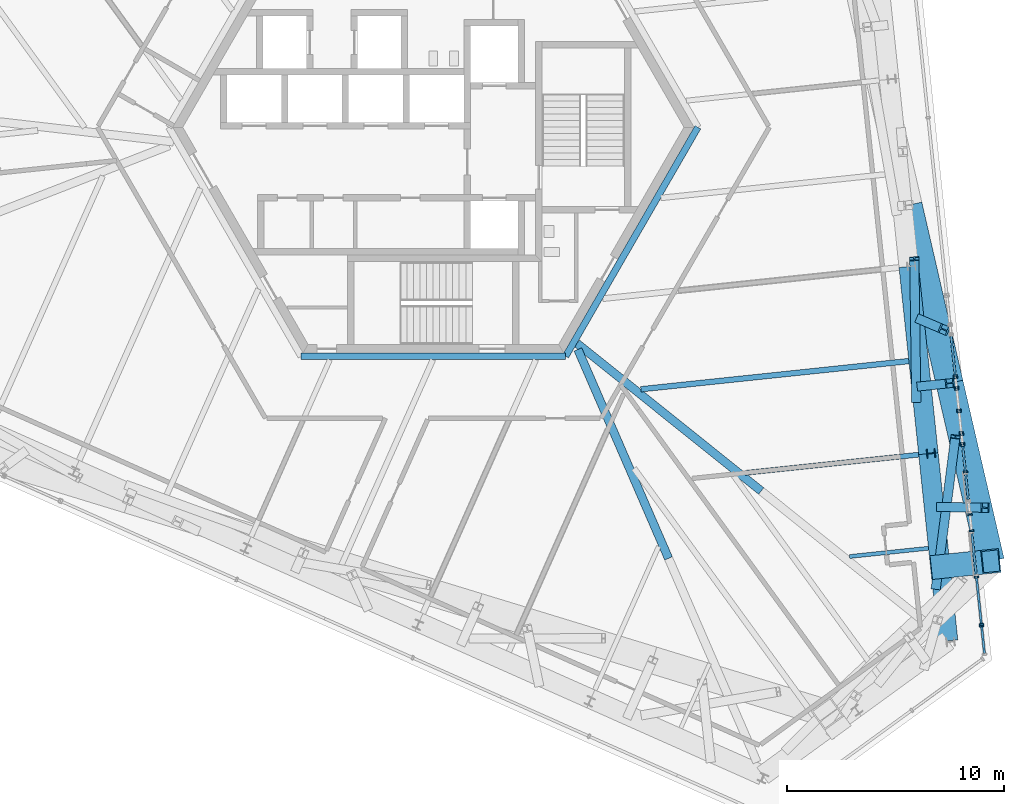
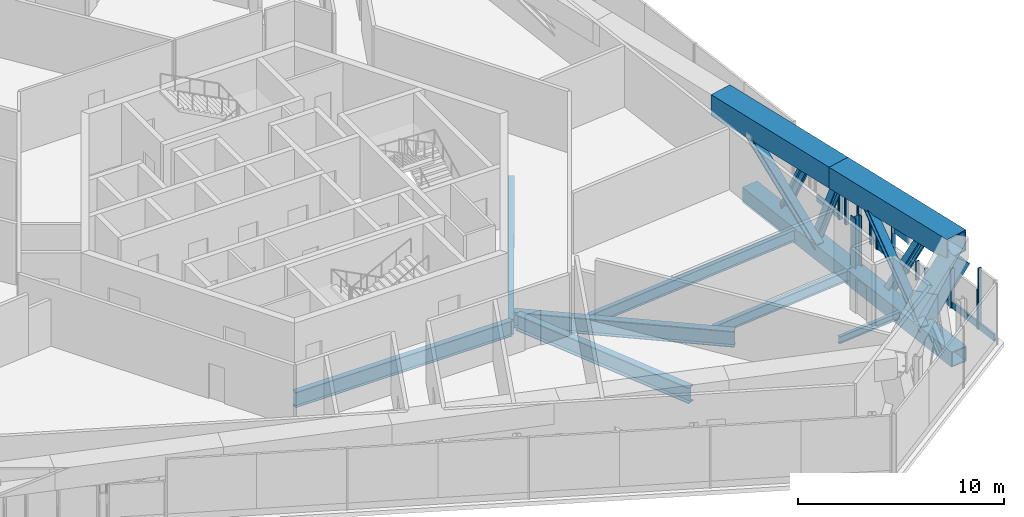
# One storey, part 4 of 30: 34 members, 7 beams, 12 elements without a shape of their own.
"""IFC4 building model written with IfcOpenShell, lengths in metres."""

from ifc_helpers import new_model, si_unit, direction, frame, origin, origin_2d, place, context, subcontext, project, spatial, rectangle, hollow_rectangle, i_section, extrude, source, transform, mapped, material, material_profile, profile_set, type_object, element, aggregate, save


model = new_model("IFC4")

# Units and contexts
model_context = context("Model", 3, precision=1e-05, world=origin(), true_north=direction((0.0, 1.0)))
body_context = subcontext(model_context, "Body", "Model", "MODEL_VIEW")
ifc_project = project(units=[si_unit("LENGTHUNIT", "METRE"), si_unit("AREAUNIT", "SQUARE_METRE"), si_unit("VOLUMEUNIT", "CUBIC_METRE"), si_unit("PLANEANGLEUNIT", "RADIAN"), si_unit("MASSUNIT", "GRAM", prefix="KILO")], contexts=[model_context])

# Site, building, storey
site_placement = place(None, origin())
site = spatial("IfcSite", under=ifc_project, at=site_placement, CompositionType="ELEMENT")
building_placement = place(site_placement, origin())
building = spatial("IfcBuilding", under=site, at=building_placement, Name="Triune Harvest Tower", CompositionType="ELEMENT")
storey_placement = place(building_placement, frame((0.0, 0.0, 94.5)))
storey = spatial("IfcBuildingStorey", under=building, at=storey_placement, Name="L23", CompositionType="ELEMENT", Elevation=94.5)

# Beam
ifc_material_1 = material(Name="Steel ASTM A992 Gr 50", Category="steel")
ifc_material_profile_1 = material_profile(ifc_material_1, i_section(OverallWidth=0.180908203125, OverallDepth=0.41650390625, WebThickness=0.010986328125, FlangeThickness=0.01806640625, at=origin_2d()), Name="W16x57")
ifc_profile_set_1 = profile_set([ifc_material_profile_1], Name="Steel ASTM A992 Gr 50")
beam_type_1 = type_object("IfcBeamType", Name="JT-1 Floor joist W16x57", PredefinedType="JOIST", material=ifc_profile_set_1)
beam_1_placement = place(storey_placement, frame((22.793212890625, -19.379150390625, -0.458251953125), z_axis=(-0.994523015384, -0.104517806482, 0.0), x_axis=(0.104517806482, -0.994523015384, 0.0)))
element("IfcBeam", 1, at=beam_1_placement, inside=storey, type_object=beam_type_1, Name="beam/L23/JT1", PredefinedType="JOIST", context=body_context, shape_type="SweptSolid", body=[
    extrude(i_section(OverallWidth=0.180908203125, OverallDepth=0.41650390625, WebThickness=0.010986328125, FlangeThickness=0.01806640625, at=origin_2d()), origin(), (0.0, 0.0, 1.0), 3.6533203125),
])

# Members
ifc_material_2 = material(Name="Steel ASTM A572 Gr 50", Category="steel")
ifc_material_profile_2 = material_profile(ifc_material_2, hollow_rectangle(XDim=1.25, YDim=1.25, WallThickness=0.070068359375, at=origin_2d()), Name="Box 1250x1250x70")
ifc_profile_set_2 = profile_set([ifc_material_profile_2], Name="Steel ASTM A572 Gr 50")
member_type_1 = type_object("IfcMemberType", Name="TC-1 Belt truss chord Box 1250x1250x70", PredefinedType="CHORD", material=ifc_profile_set_2)
member_1_placement = place(storey_placement, frame((23.765869140625, -11.784912109375, 3.014892578125), z_axis=(-0.224971810835, 0.974365272539, 0.0), x_axis=(-0.974365272539, -0.224971810835, 0.0)))
element("IfcMember", 2, at=member_1_placement, inside=storey, type_object=member_type_1, Name="truss/L23/TCT2", PredefinedType="CHORD", context=body_context, shape_type="SweptSolid", body=[
    extrude(hollow_rectangle(XDim=1.25, YDim=1.25, WallThickness=0.070068359375, at=origin_2d()), origin(), (0.0, 0.0, 1.0), 8.414794921875),
])
ifc_material_3 = material(Name="Steel ASTM A992 Gr 50", Category="steel")
ifc_material_profile_3 = material_profile(ifc_material_3, i_section(OverallWidth=0.424072265625, OverallDepth=0.47509765625, WebThickness=0.0478515625, FlangeThickness=0.0771484375, at=origin_2d()), Name="W14x426")
ifc_profile_set_3 = profile_set([ifc_material_profile_3], Name="Steel ASTM A992 Gr 50")
member_type_2 = type_object("IfcMemberType", Name="TD-1 Belt truss diagonal W14x426", PredefinedType="BRACE", material=ifc_profile_set_3)
member_2_placement = place(storey_placement, frame((23.34765625, -17.479736328125, -0.324951171875), z_axis=(0.59704491929, -0.010681862821, 0.802136685458), x_axis=(0.017888358609, 0.999839990512, 0.0)))
element("IfcMember", 3, at=member_2_placement, inside=storey, type_object=member_type_2, Name="truss/L23/TD2", PredefinedType="BRACE", context=body_context, shape_type="SweptSolid", body=[
    extrude(i_section(OverallWidth=0.424072265625, OverallDepth=0.47509765625, WebThickness=0.0478515625, FlangeThickness=0.0771484375, at=origin_2d()), origin(), (0.0, 0.0, 1.0), 3.42822265625),
])

# Curtain wall, member
ifc_material_4 = material(Name="Aluminium bronze anodised", Category="aluminium")
curtain_wall_type = type_object("IfcCurtainWallType", Name="CW-5 Plant louvre wall", PredefinedType="NOTDEFINED", material=ifc_material_4)
curtain_wall_1_placement = place(storey_placement, origin())
curtain_wall_1 = element("IfcCurtainWall", 4, at=curtain_wall_1_placement, inside=storey, type_object=curtain_wall_type, Name="CW-5 B2-F1 L23 run 201")
ifc_material_5 = material(Name="Aluminium bronze anodised", Category="aluminium")
ifc_material_profile_4 = material_profile(ifc_material_5, rectangle(XDim=0.10009765625, YDim=0.39990234375, at=origin_2d()), Name="TR-5 transom 100 x 400")
ifc_profile_set_4 = profile_set([ifc_material_profile_4], Name="Aluminium bronze anodised")
member_type_3 = type_object("IfcMemberType", Name="TR-5 transom 100 x 400", PredefinedType="USERDEFINED", material=ifc_profile_set_4)
member_3_placement = place(storey_placement, frame((24.986572265625, -20.587158203125, 0.199951171875), z_axis=(-0.104483838364, 0.994526584622, 0.0), x_axis=(-0.994526584622, -0.104483838364, 0.0)))
member_3 = element("IfcMember", 5, at=member_3_placement, type_object=member_type_3, Name="CW-5 transom B2-F1 201.1", ObjectType="TRANSOM", PredefinedType="USERDEFINED", context=body_context, shape_type="SweptSolid", body=[
    extrude(rectangle(XDim=0.10009765625, YDim=0.39990234375, at=origin_2d()), origin(), (0.0, 0.0, 1.0), 1.8974609375),
])
aggregate(curtain_wall_1, [member_3])

curtain_wall_2_placement = place(storey_placement, origin())
curtain_wall_2 = element("IfcCurtainWall", 6, at=curtain_wall_2_placement, inside=storey, type_object=curtain_wall_type, Name="CW-5 B2-F1 L23 run 701")
member_4_placement = place(storey_placement, frame((24.486572265625, -15.82958984375, 0.199951171875), z_axis=(-0.104497967431, 0.994525100137, 0.0), x_axis=(-0.994525100137, -0.104497967431, 0.0)))
member_4 = element("IfcMember", 7, at=member_4_placement, type_object=member_type_3, Name="CW-5 transom B2-F1 701.1", ObjectType="TRANSOM", PredefinedType="USERDEFINED", context=body_context, shape_type="SweptSolid", body=[
    extrude(rectangle(XDim=0.10009765625, YDim=0.39990234375, at=origin_2d()), origin(), (0.0, 0.0, 1.0), 1.156494140625),
])

curtain_wall_3_placement = place(storey_placement, origin())
curtain_wall_3 = element("IfcCurtainWall", 8, at=curtain_wall_3_placement, inside=storey, type_object=curtain_wall_type, Name="CW-5 B2-F1 L23 run 1201")
member_5_placement = place(storey_placement, frame((24.02197265625, -11.41015625, 0.199951171875), z_axis=(-0.104536567764, 0.994521043518, 0.0), x_axis=(-0.994521043518, -0.104536567764, 0.0)))
member_5 = element("IfcMember", 9, at=member_5_placement, type_object=member_type_3, Name="CW-5 transom B2-F1 1201.1", ObjectType="TRANSOM", PredefinedType="USERDEFINED", context=body_context, shape_type="SweptSolid", body=[
    extrude(rectangle(XDim=0.10009765625, YDim=0.39990234375, at=origin_2d()), origin(), (0.0, 0.0, 1.0), 1.800537109375),
])

# Member
ifc_material_6 = material(Name="Steel ASTM A572 Gr 50", Category="steel")
ifc_material_profile_5 = material_profile(ifc_material_6, hollow_rectangle(XDim=1.10009765625, YDim=1.10009765625, WallThickness=0.06005859375, at=origin_2d()), Name="Box 1100x1100x60")
ifc_profile_set_5 = profile_set([ifc_material_profile_5], Name="Steel ASTM A572 Gr 50")
member_type_4 = type_object("IfcMemberType", Name="TS-1 Belt truss raked strut Box 1100x1100x60", PredefinedType="STRUT", material=ifc_profile_set_5)
member_6_placement = place(storey_placement, frame((23.334716796875, -20.227783203125, -0.27490234375), z_axis=(0.650837994203, 0.068372517513, 0.756131671173), x_axis=(-0.104478115957, 0.994527185795, 0.0)))
element("IfcMember", 10, at=member_6_placement, inside=storey, type_object=member_type_4, Name="truss/L23/TS1", PredefinedType="STRUT", context=body_context, shape_type="SweptSolid", body=[
    extrude(hollow_rectangle(XDim=1.10009765625, YDim=1.10009765625, WallThickness=0.06005859375, at=origin_2d()), origin(), (0.0, 0.0, 1.0), 3.57080078125),
])

# Beams
ifc_material_7 = material(Name="Steel ASTM A992 Gr 50", Category="steel")
ifc_material_profile_6 = material_profile(ifc_material_7, i_section(OverallWidth=0.3046875, OverallDepth=0.914306640625, WebThickness=0.0166015625, FlangeThickness=0.02587890625, at=origin_2d()), Name="W36x160")
ifc_profile_set_6 = profile_set([ifc_material_profile_6], Name="Steel ASTM A992 Gr 50")
beam_type_2 = type_object("IfcBeamType", Name="CG-1 Core ring girder W36x160", PredefinedType="BEAM", material=ifc_profile_set_6)
shared_shape_1 = source(origin(), body_context, "Body", "SweptSolid", [
    extrude(i_section(OverallWidth=0.3046875, OverallDepth=0.914306640625, WebThickness=0.0166015625, FlangeThickness=0.02587890625, at=origin_2d()), origin(), (0.0, 0.0, 1.0), 12.176025390625),
])
beam_2_placement = place(storey_placement, frame((6.087890625, -10.544677734375, -0.707275390625), z_axis=(0.5000099932, 0.866019634131, 0.0), x_axis=(-0.866019634131, 0.5000099932, 0.0)))
element("IfcBeam", 11, at=beam_2_placement, inside=storey, type_object=beam_type_2, Name="beam/L23/CG6", PredefinedType="BEAM", context=body_context, shape_type="MappedRepresentation", body=[
    mapped(shared_shape_1, transform((0.0, 0.0, 0.0), scale=1.0)),
])
shared_shape_2 = source(origin(), body_context, "Body", "SweptSolid", [
    extrude(i_section(OverallWidth=0.3046875, OverallDepth=0.914306640625, WebThickness=0.0166015625, FlangeThickness=0.02587890625, at=origin_2d()), origin(), (0.0, 0.0, 1.0), 12.17578125),
])
beam_3_placement = place(storey_placement, frame((-6.087890625, -10.544677734375, -0.707275390625), z_axis=(1.0, 0.0, 0.0), x_axis=(0.0, 1.0, 0.0)))
element("IfcBeam", 12, at=beam_3_placement, inside=storey, type_object=beam_type_2, Name="beam/L23/CG5", PredefinedType="BEAM", context=body_context, shape_type="MappedRepresentation", body=[
    mapped(shared_shape_2, transform((0.0, 0.0, 0.0), scale=1.0)),
])
ifc_material_8 = material(Name="Steel ASTM A992 Gr 50", Category="steel")
ifc_material_profile_7 = material_profile(ifc_material_8, i_section(OverallWidth=0.383544921875, OverallDepth=0.9423828125, WebThickness=0.022216796875, FlangeThickness=0.039794921875, at=origin_2d()), Name="W36x232")
ifc_profile_set_7 = profile_set([ifc_material_profile_7], Name="Steel ASTM A992 Gr 50")
beam_type_3 = type_object("IfcBeamType", Name="HG-1 Hip girder W36x232", PredefinedType="BEAM", material=ifc_profile_set_7)
shared_shape_3 = source(origin(), body_context, "Body", "SweptSolid", [
    extrude(i_section(OverallWidth=0.383544921875, OverallDepth=0.9423828125, WebThickness=0.022216796875, FlangeThickness=0.039794921875, at=origin_2d()), origin(), (0.0, 0.0, 1.0), 10.8701171875),
])
beam_4_placement = place(storey_placement, frame((15.0908203125, -16.745849609375, -0.72119140625), z_axis=(-0.780344837212, 0.625349450337, 0.0), x_axis=(-0.625349450337, -0.780344837212, 0.0)))
element("IfcBeam", 13, at=beam_4_placement, inside=storey, type_object=beam_type_3, Name="beam/L23/HG2", PredefinedType="BEAM", context=body_context, shape_type="MappedRepresentation", body=[
    mapped(shared_shape_3, transform((0.0, 0.0, 0.0), scale=1.0)),
])
shared_shape_4 = source(origin(), body_context, "Body", "SweptSolid", [
    extrude(i_section(OverallWidth=0.383544921875, OverallDepth=0.9423828125, WebThickness=0.022216796875, FlangeThickness=0.039794921875, at=origin_2d()), origin(), (0.0, 0.0, 1.0), 10.48291015625),
])
beam_5_placement = place(storey_placement, frame((10.824462890625, -19.84521484375, -0.72119140625), z_axis=(-0.39806686292, 0.917356404374, 0.0), x_axis=(-0.917356404374, -0.39806686292, 0.0)))
element("IfcBeam", 14, at=beam_5_placement, inside=storey, type_object=beam_type_3, Name="beam/L23/HG8", PredefinedType="BEAM", context=body_context, shape_type="MappedRepresentation", body=[
    mapped(shared_shape_4, transform((0.0, 0.0, 0.0), scale=1.0)),
])
ifc_material_9 = material(Name="Steel ASTM A992 Gr 50", Category="steel")
ifc_material_profile_8 = material_profile(ifc_material_9, i_section(OverallWidth=0.22900390625, OverallDepth=0.612060546875, WebThickness=0.011962890625, FlangeThickness=0.01953125, at=origin_2d()), Name="W24x84")
ifc_profile_set_8 = profile_set([ifc_material_profile_8], Name="Steel ASTM A992 Gr 50")
beam_type_4 = type_object("IfcBeamType", Name="JT-3 Floor joist W24x84", PredefinedType="JOIST", material=ifc_profile_set_8)
shared_shape_5 = source(origin(), body_context, "Body", "SweptSolid", [
    extrude(i_section(OverallWidth=0.22900390625, OverallDepth=0.612060546875, WebThickness=0.011962890625, FlangeThickness=0.01953125, at=origin_2d()), origin(), (0.0, 0.0, 1.0), 8.028564453125),
])
beam_6_placement = place(storey_placement, frame((22.34033203125, -15.07177734375, -0.55615234375), z_axis=(-0.994520106044, -0.104545486151, 0.0), x_axis=(0.104545486151, -0.994520106044, 0.0)))
element("IfcBeam", 15, at=beam_6_placement, inside=storey, type_object=beam_type_4, Name="beam/L23/JT2", PredefinedType="JOIST", context=body_context, shape_type="MappedRepresentation", body=[
    mapped(shared_shape_5, transform((0.0, 0.0, 0.0), scale=1.0)),
])
ifc_material_10 = material(Name="Steel ASTM A992 Gr 50", Category="steel")
ifc_material_profile_9 = material_profile(ifc_material_10, i_section(OverallWidth=0.253662109375, OverallDepth=0.683349609375, WebThickness=0.012451171875, FlangeThickness=0.01904296875, at=origin_2d()), Name="W27x94")
ifc_profile_set_9 = profile_set([ifc_material_profile_9], Name="Steel ASTM A992 Gr 50")
beam_type_5 = type_object("IfcBeamType", Name="JT-4 Floor joist W27x94", PredefinedType="JOIST", material=ifc_profile_set_9)
shared_shape_6 = source(origin(), body_context, "Body", "SweptSolid", [
    extrude(i_section(OverallWidth=0.253662109375, OverallDepth=0.683349609375, WebThickness=0.012451171875, FlangeThickness=0.01904296875, at=origin_2d()), origin(), (0.0, 0.0, 1.0), 12.404052734375),
])
beam_7_placement = place(storey_placement, frame((21.8876953125, -10.764404296875, -0.591552734375), z_axis=(-0.994521510502, -0.104532124963, 0.0), x_axis=(0.104532124963, -0.994521510502, 0.0)))
element("IfcBeam", 16, at=beam_7_placement, inside=storey, type_object=beam_type_5, Name="beam/L23/JT3", PredefinedType="JOIST", context=body_context, shape_type="MappedRepresentation", body=[
    mapped(shared_shape_6, transform((0.0, 0.0, 0.0), scale=1.0)),
])

# Members
ifc_material_11 = material(Name="Steel ASTM A992 Gr 50", Category="steel")
ifc_material_profile_10 = material_profile(ifc_material_11, i_section(OverallWidth=0.398681640625, OverallDepth=0.393798828125, WebThickness=0.022705078125, FlangeThickness=0.03662109375, at=origin_2d()), Name="W14x193")
ifc_profile_set_10 = profile_set([ifc_material_profile_10], Name="Steel ASTM A992 Gr 50")
member_type_5 = type_object("IfcMemberType", Name="WP-2 Roof edge post W14x193", PredefinedType="POST", material=ifc_profile_set_10)
shared_shape_7 = source(origin(), body_context, "Body", "SweptSolid", [
    extrude(i_section(OverallWidth=0.398681640625, OverallDepth=0.393798828125, WebThickness=0.022705078125, FlangeThickness=0.03662109375, at=origin_2d()), origin(), (0.0, 0.0, 1.0), 2.9755859375),
])
member_7_placement = place(storey_placement, frame((22.9072265625, -15.01220703125, -0.25), z_axis=(0.0, 0.0, 1.0), x_axis=(-0.104526727499, 0.994522077803, 0.0)))
element("IfcMember", 17, at=member_7_placement, inside=storey, type_object=member_type_5, Name="post/L23/W1", PredefinedType="POST", context=body_context, shape_type="MappedRepresentation", body=[
    mapped(shared_shape_7, transform((0.0, 0.0, 0.0), scale=1.0)),
])
ifc_material_12 = material(Name="Steel ASTM A572 Gr 50", Category="steel")
ifc_material_profile_11 = material_profile(ifc_material_12, hollow_rectangle(XDim=0.89990234375, YDim=0.89990234375, WallThickness=0.050048828125, at=origin_2d()), Name="Box 900x900x50")
ifc_profile_set_11 = profile_set([ifc_material_profile_11], Name="Steel ASTM A572 Gr 50")
member_type_6 = type_object("IfcMemberType", Name="TC-2 Belt truss chord Box 900x900x50", PredefinedType="CHORD", material=ifc_profile_set_11)
shared_shape_8 = source(origin(), body_context, "Body", "SweptSolid", [
    extrude(hollow_rectangle(XDim=0.89990234375, YDim=0.89990234375, WallThickness=0.050048828125, at=origin_2d()), origin(), (0.0, 0.0, 1.0), 8.662109375),
])
member_8_placement = place(storey_placement, frame((23.693359375, -23.6396484375, -0.699951171875), z_axis=(-0.104536601969, 0.994521039923, 0.0), x_axis=(-0.994521039923, -0.104536601969, 0.0)))
element("IfcMember", 18, at=member_8_placement, inside=storey, type_object=member_type_6, Name="truss/L23/TCB1", PredefinedType="CHORD", context=body_context, shape_type="MappedRepresentation", body=[
    mapped(shared_shape_8, transform((0.0, 0.0, 0.0), scale=1.0)),
])
shared_shape_9 = source(origin(), body_context, "Body", "SweptSolid", [
    extrude(hollow_rectangle(XDim=0.89990234375, YDim=0.89990234375, WallThickness=0.050048828125, at=origin_2d()), origin(), (0.0, 0.0, 1.0), 8.662353515625),
])
member_9_placement = place(storey_placement, frame((22.787841796875, -15.02490234375, -0.699951171875), z_axis=(-0.104533671873, 0.994521347908, 0.0), x_axis=(-0.994521347908, -0.104533671873, 0.0)))
element("IfcMember", 19, at=member_9_placement, inside=storey, type_object=member_type_6, Name="truss/L23/TCB2", PredefinedType="CHORD", context=body_context, shape_type="MappedRepresentation", body=[
    mapped(shared_shape_9, transform((0.0, 0.0, 0.0), scale=1.0)),
])
shared_shape_10 = source(origin(), body_context, "Body", "SweptSolid", [
    extrude(hollow_rectangle(XDim=1.25, YDim=1.25, WallThickness=0.070068359375, at=origin_2d()), origin(), (0.0, 0.0, 1.0), 8.414306640625),
])
member_10_placement = place(storey_placement, frame((25.65869140625, -19.983642578125, 3.014892578125), z_axis=(-0.224950624774, 0.974370163959, 0.0), x_axis=(-0.974370163959, -0.224950624774, 0.0)))
element("IfcMember", 20, at=member_10_placement, inside=storey, type_object=member_type_1, Name="truss/L23/TCT1", PredefinedType="CHORD", context=body_context, shape_type="MappedRepresentation", body=[
    mapped(shared_shape_10, transform((0.0, 0.0, 0.0), scale=1.0)),
])
ifc_material_13 = material(Name="Steel ASTM A992 Gr 50", Category="steel")
ifc_material_profile_12 = material_profile(ifc_material_13, i_section(OverallWidth=0.411376953125, OverallDepth=0.434326171875, WebThickness=0.035888671875, FlangeThickness=0.057373046875, at=origin_2d()), Name="W14x311")
ifc_profile_set_12 = profile_set([ifc_material_profile_12], Name="Steel ASTM A992 Gr 50")
member_type_7 = type_object("IfcMemberType", Name="TV-1 Belt truss strut W14x311", PredefinedType="STRUT", material=ifc_profile_set_12)
shared_shape_11 = source(origin(), body_context, "Body", "SweptSolid", [
    extrude(i_section(OverallWidth=0.411376953125, OverallDepth=0.434326171875, WebThickness=0.035888671875, FlangeThickness=0.057373046875, at=origin_2d()), origin(), (0.0, 0.0, 1.0), 3.00146484375),
])
member_11_placement = place(storey_placement, frame((22.4619140625, -11.921875, -0.27490234375), z_axis=(0.434439496467, 0.045632008522, 0.899544353385), x_axis=(-0.104461844247, 0.994528895054, 0.0)))
element("IfcMember", 21, at=member_11_placement, inside=storey, type_object=member_type_7, Name="truss/L23/TS2", PredefinedType="STRUT", context=body_context, shape_type="MappedRepresentation", body=[
    mapped(shared_shape_11, transform((0.0, 0.0, 0.0), scale=1.0)),
])
shared_shape_12 = source(origin(), body_context, "Body", "SweptSolid", [
    extrude(i_section(OverallWidth=0.424072265625, OverallDepth=0.47509765625, WebThickness=0.0478515625, FlangeThickness=0.0771484375, at=origin_2d()), origin(), (0.0, 0.0, 1.0), 7.51171875),
])
member_12_placement = place(storey_placement, frame((23.133544921875, -21.184814453125, -0.324951171875), z_axis=(0.119311205693, 0.92289866436, 0.366091370452), x_axis=(-0.991746808407, 0.128211809187, 0.0)))
element("IfcMember", 22, at=member_12_placement, inside=storey, type_object=member_type_2, Name="truss/L23/TD1", PredefinedType="BRACE", context=body_context, shape_type="MappedRepresentation", body=[
    mapped(shared_shape_12, transform((0.0, 0.0, 0.0), scale=1.0)),
])
shared_shape_13 = source(origin(), body_context, "Body", "SweptSolid", [
    extrude(i_section(OverallWidth=0.424072265625, OverallDepth=0.47509765625, WebThickness=0.0478515625, FlangeThickness=0.0771484375, at=origin_2d()), origin(), (0.0, 0.0, 1.0), 7.07373046875),
])
member_13_placement = place(storey_placement, frame((22.228271484375, -12.56982421875, -0.324951171875), z_axis=(-0.012908218628, 0.921246448193, 0.388765172802), x_axis=(-0.999901850739, -0.014010313659, 0.0)))
element("IfcMember", 23, at=member_13_placement, inside=storey, type_object=member_type_2, Name="truss/L23/TD3", PredefinedType="BRACE", context=body_context, shape_type="MappedRepresentation", body=[
    mapped(shared_shape_13, transform((0.0, 0.0, 0.0), scale=1.0)),
])
shared_shape_14 = source(origin(), body_context, "Body", "SweptSolid", [
    extrude(i_section(OverallWidth=0.424072265625, OverallDepth=0.47509765625, WebThickness=0.0478515625, FlangeThickness=0.0771484375, at=origin_2d()), origin(), (0.0, 0.0, 1.0), 2.981689453125),
])
member_14_placement = place(storey_placement, frame((22.442138671875, -8.864990234375, -0.324951171875), z_axis=(0.355371509244, -0.151728895537, 0.922328267309), x_axis=(0.392665751652, 0.919681253196, 0.0)))
element("IfcMember", 24, at=member_14_placement, inside=storey, type_object=member_type_2, Name="truss/L23/TD4", PredefinedType="BRACE", context=body_context, shape_type="MappedRepresentation", body=[
    mapped(shared_shape_14, transform((0.0, 0.0, 0.0), scale=1.0)),
])

# Curtain wall, members
curtain_wall_4_placement = place(storey_placement, origin())
curtain_wall_4 = element("IfcCurtainWall", 25, at=curtain_wall_4_placement, inside=storey, type_object=curtain_wall_type, Name="CW-5 B2-F1 L23 run 101")
ifc_material_14 = material(Name="Aluminium bronze anodised", Category="aluminium")
ifc_material_profile_13 = material_profile(ifc_material_14, rectangle(XDim=0.199951171875, YDim=0.080078125, at=origin_2d()), Name="MU-5 mullion 80 x 200")
ifc_profile_set_13 = profile_set([ifc_material_profile_13], Name="Aluminium bronze anodised")
member_type_8 = type_object("IfcMemberType", Name="MU-5 mullion 80 x 200", PredefinedType="MULLION", material=ifc_profile_set_13)
shared_shape_15 = source(origin(), body_context, "Body", "SweptSolid", [
    extrude(rectangle(XDim=0.199951171875, YDim=0.080078125, at=origin_2d()), origin(), (0.0, 0.0, 1.0), 2.330078125),
])
member_15_placement = place(storey_placement, frame((25.2275390625, -22.88037109375, 0.0), z_axis=(0.0, 0.0, 1.0), x_axis=(-0.994523816838, -0.104510180092, 0.0)))
member_15 = element("IfcMember", 26, at=member_15_placement, type_object=member_type_8, Name="CW-5 mullion B2-F1 101.1", PredefinedType="MULLION", context=body_context, shape_type="MappedRepresentation", body=[
    mapped(shared_shape_15, transform((0.0, 0.0, 0.0), scale=1.0)),
])
member_16_placement = place(storey_placement, frame((24.9990234375, -20.70654296875, 0.0), z_axis=(0.0, 0.0, 1.0), x_axis=(-0.994523816838, -0.104510180092, 0.0)))
member_16 = element("IfcMember", 27, at=member_16_placement, type_object=member_type_8, Name="CW-5 mullion B2-F1 101.2", PredefinedType="MULLION", context=body_context, shape_type="MappedRepresentation", body=[
    mapped(shared_shape_15, transform((0.0, 0.0, 0.0), scale=1.0)),
])

# Member
member_17_placement = place(storey_placement, frame((24.49072265625, -15.869384765625, 0.0), z_axis=(0.0, 0.0, 1.0), x_axis=(-0.99452209001, -0.104526611359, 0.0)))
member_17 = element("IfcMember", 28, at=member_17_placement, type_object=member_type_8, Name="CW-5 mullion B2-F1 701.1", PredefinedType="MULLION", context=body_context, shape_type="MappedRepresentation", body=[
    mapped(shared_shape_15, transform((0.0, 0.0, 0.0), scale=1.0)),
])

member_18_placement = place(storey_placement, frame((24.361572265625, -14.639892578125, 0.0), z_axis=(0.0, 0.0, 1.0), x_axis=(-0.99452209001, -0.104526611359, 0.0)))
member_18 = element("IfcMember", 29, at=member_18_placement, type_object=member_type_8, Name="CW-5 mullion B2-F1 701.2", PredefinedType="MULLION", context=body_context, shape_type="MappedRepresentation", body=[
    mapped(shared_shape_15, transform((0.0, 0.0, 0.0), scale=1.0)),
])

aggregate(curtain_wall_2, [member_17, member_18, member_4])

# Curtain wall, members
curtain_wall_5_placement = place(storey_placement, origin())
curtain_wall_5 = element("IfcCurtainWall", 30, at=curtain_wall_5_placement, inside=storey, type_object=curtain_wall_type, Name="CW-5 B2-F1 L23 run 1001")
member_19_placement = place(storey_placement, frame((24.19091796875, -13.0185546875, 0.0), z_axis=(0.0, 0.0, 1.0), x_axis=(-0.994521686015, -0.104530455113, 0.0)))
member_19 = element("IfcMember", 31, at=member_19_placement, type_object=member_type_8, Name="CW-5 mullion B2-F1 1001.1", PredefinedType="MULLION", context=body_context, shape_type="MappedRepresentation", body=[
    mapped(shared_shape_15, transform((0.0, 0.0, 0.0), scale=1.0)),
])
member_20_placement = place(storey_placement, frame((24.090087890625, -12.05810546875, 0.0), z_axis=(0.0, 0.0, 1.0), x_axis=(-0.994521686015, -0.104530455113, 0.0)))
member_20 = element("IfcMember", 32, at=member_20_placement, type_object=member_type_8, Name="CW-5 mullion B2-F1 1001.2", PredefinedType="MULLION", context=body_context, shape_type="MappedRepresentation", body=[
    mapped(shared_shape_15, transform((0.0, 0.0, 0.0), scale=1.0)),
])
aggregate(curtain_wall_5, [member_19, member_20])

# Member
member_21_placement = place(storey_placement, frame((24.026123046875, -11.449951171875, 0.0), z_axis=(0.0, 0.0, 1.0), x_axis=(-0.994519416938, -0.104552041271, 0.0)))
member_21 = element("IfcMember", 33, at=member_21_placement, type_object=member_type_8, Name="CW-5 mullion B2-F1 1201.1", PredefinedType="MULLION", context=body_context, shape_type="MappedRepresentation", body=[
    mapped(shared_shape_15, transform((0.0, 0.0, 0.0), scale=1.0)),
])

aggregate(curtain_wall_3, [member_21, member_5])

# Curtain wall, members
curtain_wall_6_placement = place(storey_placement, origin())
curtain_wall_6 = element("IfcCurtainWall", 34, at=curtain_wall_6_placement, inside=storey, type_object=curtain_wall_type, Name="CW-5 B2-F1 L23 run 1")
shared_shape_16 = source(origin(), body_context, "Body", "SweptSolid", [
    extrude(rectangle(XDim=0.199951171875, YDim=0.080078125, at=origin_2d()), origin(), (0.0, 0.0, 1.0), 3.639892578125),
])
member_22_placement = place(storey_placement, frame((25.23583984375, -22.9599609375, 0.0), z_axis=(0.0, 0.0, 1.0), x_axis=(-0.994518439748, -0.104561336073, 0.0)))
member_22 = element("IfcMember", 35, at=member_22_placement, type_object=member_type_8, Name="CW-5 mullion B2-F1 1.2", PredefinedType="MULLION", context=body_context, shape_type="MappedRepresentation", body=[
    mapped(shared_shape_16, transform((0.0, 0.0, 0.0), scale=1.0)),
])
shared_shape_17 = source(origin(), body_context, "Body", "SweptSolid", [
    extrude(rectangle(XDim=0.10009765625, YDim=0.39990234375, at=origin_2d()), origin(), (0.0, 0.0, 1.0), 1.2314453125),
])
member_23_placement = place(storey_placement, frame((25.368896484375, -24.224365234375, 0.199951171875), z_axis=(-0.104684784518, 0.994505452921, 0.0), x_axis=(-0.994505452921, -0.104684784518, 0.0)))
member_23 = element("IfcMember", 36, at=member_23_placement, type_object=member_type_3, Name="CW-5 transom B2-F1 1.1", ObjectType="TRANSOM", PredefinedType="USERDEFINED", context=body_context, shape_type="MappedRepresentation", body=[
    mapped(shared_shape_17, transform((0.0, 0.0, 0.0), scale=1.0)),
])
aggregate(curtain_wall_6, [member_22, member_23])

# Member
shared_shape_18 = source(origin(), body_context, "Body", "SweptSolid", [
    extrude(rectangle(XDim=0.10009765625, YDim=0.39990234375, at=origin_2d()), origin(), (0.0, 0.0, 1.0), 2.105712890625),
])
member_24_placement = place(storey_placement, frame((25.223388671875, -22.840576171875, 0.199951171875), z_axis=(-0.104576151497, 0.994516881977, 0.0), x_axis=(-0.994516881977, -0.104576151497, 0.0)))
member_24 = element("IfcMember", 37, at=member_24_placement, type_object=member_type_3, Name="CW-5 transom B2-F1 101.1", ObjectType="TRANSOM", PredefinedType="USERDEFINED", context=body_context, shape_type="MappedRepresentation", body=[
    mapped(shared_shape_18, transform((0.0, 0.0, 0.0), scale=1.0)),
])

aggregate(curtain_wall_4, [member_15, member_16, member_24])

# Curtain wall, members
curtain_wall_7_placement = place(storey_placement, origin())
curtain_wall_7 = element("IfcCurtainWall", 38, at=curtain_wall_7_placement, inside=storey, type_object=curtain_wall_type, Name="CW-5 B2-F1 L23 run 301")
shared_shape_19 = source(origin(), body_context, "Body", "SweptSolid", [
    extrude(rectangle(XDim=0.199951171875, YDim=0.080078125, at=origin_2d()), origin(), (0.0, 0.0, 1.0), 1.123291015625),
])
member_25_placement = place(storey_placement, frame((24.775634765625, -18.580810546875, 0.0), z_axis=(0.0, 0.0, 1.0), x_axis=(-0.994510687684, -0.104635042321, 0.0)))
member_25 = element("IfcMember", 39, at=member_25_placement, type_object=member_type_8, Name="CW-5 mullion B2-F1 301.1", PredefinedType="MULLION", context=body_context, shape_type="MappedRepresentation", body=[
    mapped(shared_shape_19, transform((0.0, 0.0, 0.0), scale=1.0)),
])
member_26_placement = place(storey_placement, frame((24.696533203125, -17.827880859375, 0.0), z_axis=(0.0, 0.0, 1.0), x_axis=(-0.994510687684, -0.104635042321, 0.0)))
member_26 = element("IfcMember", 40, at=member_26_placement, type_object=member_type_8, Name="CW-5 mullion B2-F1 301.2", PredefinedType="MULLION", context=body_context, shape_type="MappedRepresentation", body=[
    mapped(shared_shape_19, transform((0.0, 0.0, 0.0), scale=1.0)),
])
aggregate(curtain_wall_7, [member_25, member_26])

# Curtain wall, member
curtain_wall_8_placement = place(storey_placement, origin())
curtain_wall_8 = element("IfcCurtainWall", 41, at=curtain_wall_8_placement, inside=storey, type_object=curtain_wall_type, Name="CW-5 B2-F1 L23 run 501")
shared_shape_20 = source(origin(), body_context, "Body", "SweptSolid", [
    extrude(rectangle(XDim=0.10009765625, YDim=0.39990234375, at=origin_2d()), origin(), (0.0, 0.0, 1.0), 1.15625),
])
member_27_placement = place(storey_placement, frame((24.6240234375, -17.138671875, 0.199951171875), z_axis=(-0.104519911488, 0.994522794159, 0.0), x_axis=(-0.994522794159, -0.104519911488, 0.0)))
member_27 = element("IfcMember", 42, at=member_27_placement, type_object=member_type_3, Name="CW-5 transom B2-F1 501.1", ObjectType="TRANSOM", PredefinedType="USERDEFINED", context=body_context, shape_type="MappedRepresentation", body=[
    mapped(shared_shape_20, transform((0.0, 0.0, 0.0), scale=1.0)),
])
aggregate(curtain_wall_8, [member_27])

curtain_wall_9_placement = place(storey_placement, origin())
curtain_wall_9 = element("IfcCurtainWall", 43, at=curtain_wall_9_placement, inside=storey, type_object=curtain_wall_type, Name="CW-5 B2-F1 L23 run 601")
member_28_placement = place(storey_placement, frame((24.6240234375, -17.138671875, 1.959228515625), z_axis=(-0.104519911488, 0.994522794159, 0.0), x_axis=(-0.994522794159, -0.104519911488, 0.0)))
member_28 = element("IfcMember", 44, at=member_28_placement, type_object=member_type_3, Name="CW-5 transom B2-F1 601.1", ObjectType="TRANSOM", PredefinedType="USERDEFINED", context=body_context, shape_type="MappedRepresentation", body=[
    mapped(shared_shape_20, transform((0.0, 0.0, 0.0), scale=1.0)),
])
aggregate(curtain_wall_9, [member_28])

# Curtain wall, members
curtain_wall_10_placement = place(storey_placement, origin())
curtain_wall_10 = element("IfcCurtainWall", 45, at=curtain_wall_10_placement, inside=storey, type_object=curtain_wall_type, Name="CW-5 B2-F1 L23 run 801")
shared_shape_21 = source(origin(), body_context, "Body", "SweptSolid", [
    extrude(rectangle(XDim=0.199951171875, YDim=0.080078125, at=origin_2d()), origin(), (0.0, 0.0, 1.0), 1.97705078125),
])
member_29_placement = place(storey_placement, frame((24.35302734375, -14.560302734375, 0.0), z_axis=(0.0, 0.0, 1.0), x_axis=(-0.994509795922, -0.104643517787, 0.0)))
member_29 = element("IfcMember", 46, at=member_29_placement, type_object=member_type_8, Name="CW-5 mullion B2-F1 801.1", PredefinedType="MULLION", context=body_context, shape_type="MappedRepresentation", body=[
    mapped(shared_shape_21, transform((0.0, 0.0, 0.0), scale=1.0)),
])
member_30_placement = place(storey_placement, frame((24.30859375, -14.137939453125, 0.0), z_axis=(0.0, 0.0, 1.0), x_axis=(-0.994509795922, -0.104643517787, 0.0)))
member_30 = element("IfcMember", 47, at=member_30_placement, type_object=member_type_8, Name="CW-5 mullion B2-F1 801.2", PredefinedType="MULLION", context=body_context, shape_type="MappedRepresentation", body=[
    mapped(shared_shape_21, transform((0.0, 0.0, 0.0), scale=1.0)),
])
aggregate(curtain_wall_10, [member_29, member_30])

curtain_wall_11_placement = place(storey_placement, origin())
curtain_wall_11 = element("IfcCurtainWall", 48, at=curtain_wall_11_placement, inside=storey, type_object=curtain_wall_type, Name="CW-5 B2-F1 L23 run 901")
shared_shape_22 = source(origin(), body_context, "Body", "SweptSolid", [
    extrude(rectangle(XDim=0.199951171875, YDim=0.080078125, at=origin_2d()), origin(), (0.0, 0.0, 1.0), 2.170166015625),
])
member_31_placement = place(storey_placement, frame((24.30029296875, -14.058349609375, 0.0), z_axis=(0.0, 0.0, 1.0), x_axis=(-0.994521686015, -0.104530455113, 0.0)))
member_31 = element("IfcMember", 49, at=member_31_placement, type_object=member_type_8, Name="CW-5 mullion B2-F1 901.1", PredefinedType="MULLION", context=body_context, shape_type="MappedRepresentation", body=[
    mapped(shared_shape_22, transform((0.0, 0.0, 0.0), scale=1.0)),
])
member_32_placement = place(storey_placement, frame((24.199462890625, -13.09814453125, 0.0), z_axis=(0.0, 0.0, 1.0), x_axis=(-0.994521686015, -0.104530455113, 0.0)))
member_32 = element("IfcMember", 50, at=member_32_placement, type_object=member_type_8, Name="CW-5 mullion B2-F1 901.2", PredefinedType="MULLION", context=body_context, shape_type="MappedRepresentation", body=[
    mapped(shared_shape_22, transform((0.0, 0.0, 0.0), scale=1.0)),
])
aggregate(curtain_wall_11, [member_31, member_32])

curtain_wall_12_placement = place(storey_placement, origin())
curtain_wall_12 = element("IfcCurtainWall", 51, at=curtain_wall_12_placement, inside=storey, type_object=curtain_wall_type, Name="CW-5 B2-F1 L23 run 1101")
shared_shape_23 = source(origin(), body_context, "Body", "SweptSolid", [
    extrude(rectangle(XDim=0.199951171875, YDim=0.080078125, at=origin_2d()), origin(), (0.0, 0.0, 1.0), 2.18994140625),
])
member_33_placement = place(storey_placement, frame((24.081787109375, -11.978515625, 0.0), z_axis=(0.0, 0.0, 1.0), x_axis=(-0.994533252883, -0.104420347206, 0.0)))
member_33 = element("IfcMember", 52, at=member_33_placement, type_object=member_type_8, Name="CW-5 mullion B2-F1 1101.1", PredefinedType="MULLION", context=body_context, shape_type="MappedRepresentation", body=[
    mapped(shared_shape_23, transform((0.0, 0.0, 0.0), scale=1.0)),
])
member_34_placement = place(storey_placement, frame((24.03466796875, -11.529541015625, 0.0), z_axis=(0.0, 0.0, 1.0), x_axis=(-0.994533252883, -0.104420347206, 0.0)))
member_34 = element("IfcMember", 53, at=member_34_placement, type_object=member_type_8, Name="CW-5 mullion B2-F1 1101.2", PredefinedType="MULLION", context=body_context, shape_type="MappedRepresentation", body=[
    mapped(shared_shape_23, transform((0.0, 0.0, 0.0), scale=1.0)),
])
aggregate(curtain_wall_12, [member_33, member_34])

save(model, "model.ifc")
